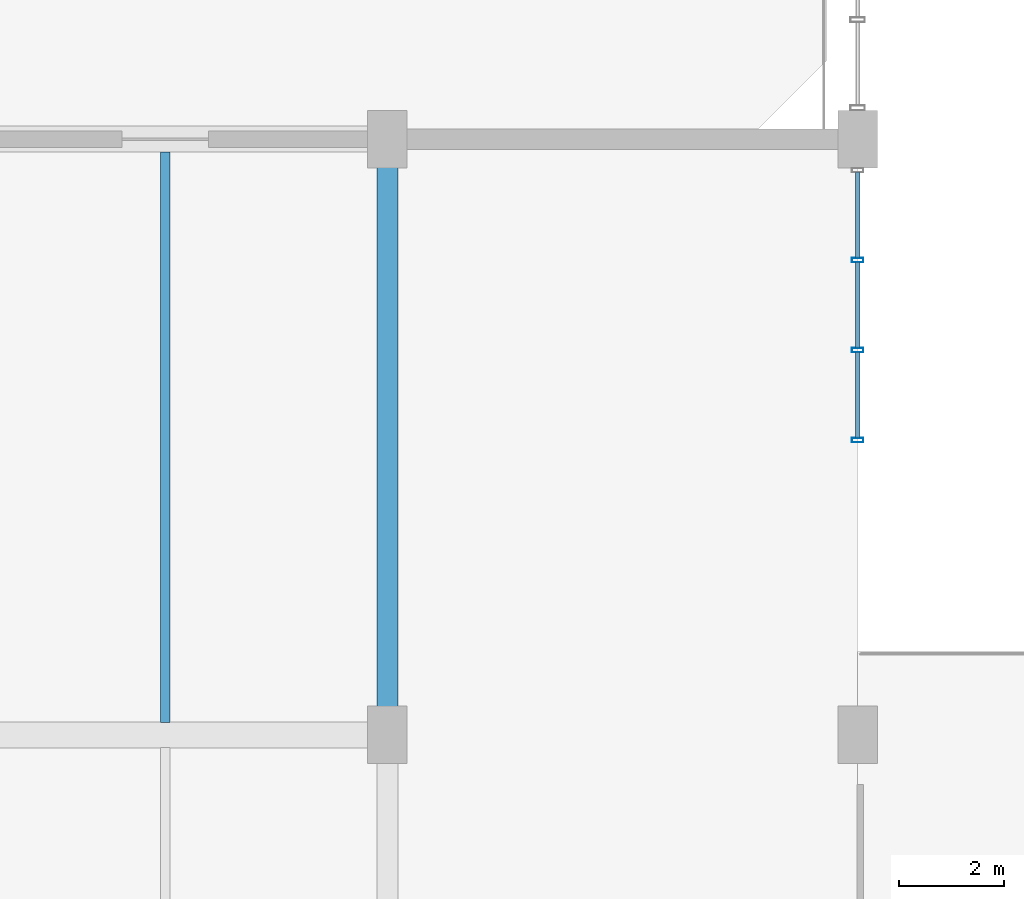
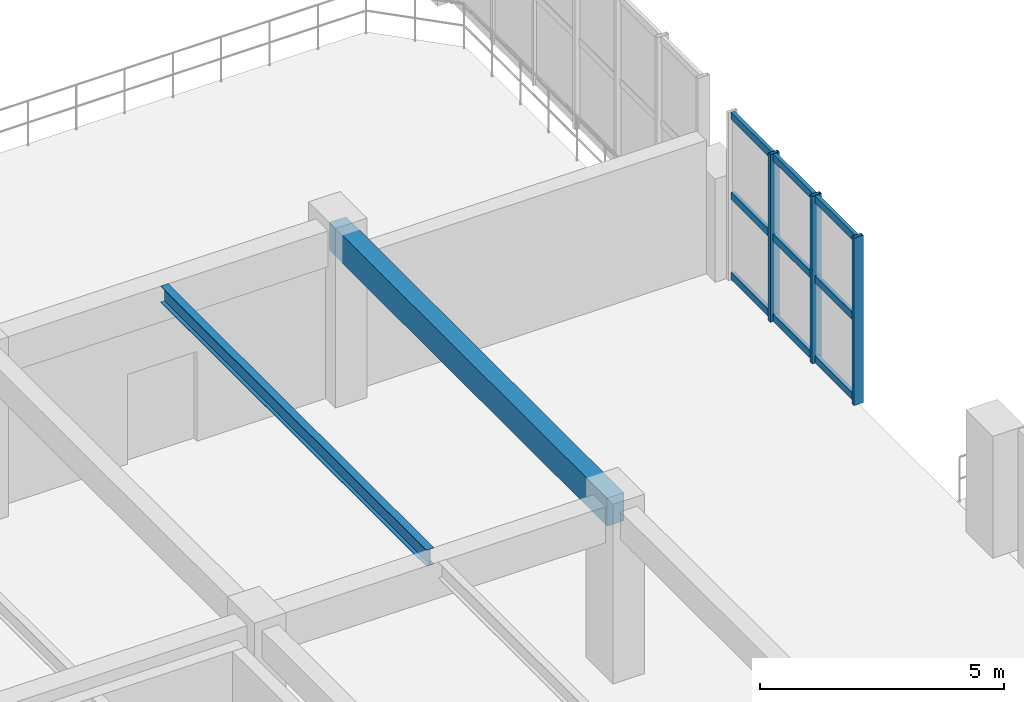
# One storey, part 32 of 80: 12 members, 2 beams, 1 element without a shape of its own.
"""IFC4 building model written with IfcOpenShell, lengths in metres."""

import ifcopenshell
import ifcopenshell.guid

model = None  # the IFC model being written
_history = None  # IfcOwnerHistory: only IFC2X3 demands one
_inside = {}  # id of a spatial element -> (the spatial element, [elements in it])
_under = {}  # id of a project, library or spatial element -> (it, [spatial elements below it])
_declared = {}  # id of a project -> (the project, [libraries it declares])
_typed = {}  # id of a type object -> (the type object, [elements of that type])
_made_of = {}  # id of a material, layer set ... -> (it, [elements and type objects made of it])


def new_model(schema):
    """Start an empty IFC model of exactly this schema.

    Asked for "IFC4X3", IfcOpenShell would pick the latest addendum, in which some entities
    have other attributes; the version numbers below select the first issue.
    IFC2X3 requires an IfcOwnerHistory on every rooted entity: one is made here for all.
    """
    global model, _history
    if schema == "IFC4X3":
        model = ifcopenshell.file(schema_version=(4, 3, 0, 0))
    else:
        model = ifcopenshell.file(schema=schema)
    _inside.clear()
    _under.clear()
    _declared.clear()
    _typed.clear()
    _made_of.clear()
    _history = None
    if model.schema == "IFC2X3":
        org = make("IfcOrganization", Name="unknown")
        user = make(
            "IfcPersonAndOrganization",
            ThePerson=make("IfcPerson", FamilyName="unknown"),
            TheOrganization=org,
        )
        app = make(
            "IfcApplication",
            ApplicationDeveloper=org,
            Version="unknown",
            ApplicationFullName="unknown",
            ApplicationIdentifier="unknown",
        )
        _history = make(
            "IfcOwnerHistory",
            OwningUser=user,
            OwningApplication=app,
            ChangeAction="ADDED",
            CreationDate=0,
        )
    return model


def make(cls, **values):
    """One entity of the class cls with the attributes given. An attribute that is None is left unset."""
    return model.create_entity(
        cls, **{name: value for name, value in values.items() if value is not None}
    )


def rooted(cls, **values):
    """An entity with a GlobalId (a new one), such as an element, a storey or a relation."""
    return make(cls, GlobalId=ifcopenshell.guid.new(), OwnerHistory=_history, **values)


def si_unit(unit_type, name, prefix=None):
    """IfcSIUnit, for example si_unit("LENGTHUNIT", "METRE", prefix="MILLI")."""
    return make("IfcSIUnit", UnitType=unit_type, Prefix=prefix, Name=name)


def assignment(units):
    """IfcUnitAssignment: the units of a project."""
    return None if units is None else make("IfcUnitAssignment", Units=units)


def point(xyz):
    """IfcCartesianPoint."""
    return None if xyz is None else make("IfcCartesianPoint", Coordinates=xyz)


def direction(xyz):
    """IfcDirection."""
    return None if xyz is None else make("IfcDirection", DirectionRatios=xyz)


def frame(location, z_axis=None, x_axis=None):
    """IfcAxis2Placement3D, a coordinate frame: its origin and axes. An axis left out is left unset."""
    return make(
        "IfcAxis2Placement3D",
        Location=point(location),
        Axis=direction(z_axis),
        RefDirection=direction(x_axis),
    )


def frame_2d(location, x_axis=None):
    """IfcAxis2Placement2D, a coordinate frame in the plane: its origin and x axis."""
    return make(
        "IfcAxis2Placement2D", Location=point(location), RefDirection=direction(x_axis)
    )


def origin():
    """The frame at (0, 0, 0) with its axes left unset."""
    return frame((0.0, 0.0, 0.0))


def origin_2d():
    """The frame at (0, 0) in the plane with its x axis left unset."""
    return frame_2d((0.0, 0.0))


def place(relative_to, where):
    """IfcLocalPlacement: puts the frame where relative to a parent placement (None: the world)."""
    return make(
        "IfcLocalPlacement", PlacementRelTo=relative_to, RelativePlacement=where
    )


def context(
    kind, dimensions, precision=None, world=None, true_north=None, identifier=None
):
    """IfcGeometricRepresentationContext, for example the 3D "Model" context."""
    return make(
        "IfcGeometricRepresentationContext",
        ContextIdentifier=identifier,
        ContextType=kind,
        CoordinateSpaceDimension=dimensions,
        Precision=precision,
        WorldCoordinateSystem=world,
        TrueNorth=true_north,
    )


def subcontext(parent, identifier, kind, view, scale=None):
    """IfcGeometricRepresentationSubContext, for example "Body" below "Model"."""
    return make(
        "IfcGeometricRepresentationSubContext",
        ContextIdentifier=identifier,
        ContextType=kind,
        ParentContext=parent,
        TargetScale=scale,
        TargetView=view,
    )


def project(units=None, contexts=None):
    """IfcProject with its units and contexts."""
    return rooted(
        "IfcProject",
        Name="project",
        RepresentationContexts=contexts,
        UnitsInContext=assignment(units),
    )


def spatial(cls, under=None, at=None, **own):
    """A site, building, storey or space (cls), placed at a placement, below another one or the project."""
    s = rooted(cls, ObjectPlacement=at, **own)
    if under is not None:
        _under.setdefault(under.id(), (under, []))[1].append(s)
    return s


def profile(cls, at=None, kind="AREA", **sizes):
    """A parametric profile (cls). Its sizes go by their IFC names, for example OverallWidth=200.0."""
    return make(cls, ProfileType=kind, Position=at, **sizes)


def rectangle(**sizes):
    """IfcRectangleProfileDef."""
    return profile("IfcRectangleProfileDef", **sizes)


def hollow_rectangle(**sizes):
    """IfcRectangleHollowProfileDef."""
    return profile("IfcRectangleHollowProfileDef", **sizes)


def i_section(**sizes):
    """IfcIShapeProfileDef."""
    return profile("IfcIShapeProfileDef", **sizes)


def extrude(swept, where, along, depth):
    """IfcExtrudedAreaSolid: the profile swept, set in the frame where, extruded along a direction by depth."""
    return make(
        "IfcExtrudedAreaSolid",
        SweptArea=swept,
        Position=where,
        ExtrudedDirection=direction(along),
        Depth=depth,
    )


def shape(context_of_items, identifier, shape_type, items):
    """IfcShapeRepresentation: the items that make up one representation, for example the "Body"."""
    return make(
        "IfcShapeRepresentation",
        ContextOfItems=context_of_items,
        RepresentationIdentifier=identifier,
        RepresentationType=shape_type,
        Items=items,
    )


def material(Name=None, Category=None):
    """IfcMaterial."""
    return make("IfcMaterial", Name=Name, Category=Category)


def layer(
    of_material, thickness, ventilated=None, Name=None, Category=None, Priority=None
):
    """IfcMaterialLayer: one layer of a wall or slab, of a material (None: an air gap)."""
    return make(
        "IfcMaterialLayer",
        Material=of_material,
        LayerThickness=thickness,
        IsVentilated=ventilated,
        Name=Name,
        Category=Category,
        Priority=Priority,
    )


def layer_set(layers, Name=None):
    """IfcMaterialLayerSet."""
    return make("IfcMaterialLayerSet", MaterialLayers=layers, LayerSetName=Name)


def material_profile(
    of_material, cross_section, Name=None, Category=None, Priority=None
):
    """IfcMaterialProfile: a cross section and its material."""
    return make(
        "IfcMaterialProfile",
        Name=Name,
        Material=of_material,
        Profile=cross_section,
        Priority=Priority,
        Category=Category,
    )


def profile_set(profiles, Name=None, composite=None):
    """IfcMaterialProfileSet."""
    return make(
        "IfcMaterialProfileSet",
        Name=Name,
        MaterialProfiles=profiles,
        CompositeProfile=composite,
    )


def made_of(thing, what):
    """Note that an element or type object is made of a material, layer set ...; save() writes the relation."""
    if what is not None:
        _made_of.setdefault(what.id(), (what, []))[1].append(thing)
    return thing


def type_object(cls, material=None, **own):
    """A type object (cls), such as IfcWallType, which elements share."""
    return made_of(rooted(cls, **own), material)


def element(
    cls,
    number,
    at=None,
    inside=None,
    cuts=None,
    type_object=None,
    material=None,
    context=None,
    identifier="Body",
    shape_type=None,
    held_by="IfcProductDefinitionShape",
    body=None,
    shapes=None,
    **own,
):
    """One element of the class cls, such as IfcWall. Its Tag is "e" and its number.

    at: its placement. inside: the storey or other place that contains it. cuts: it is an
    opening in that element (IfcRelVoidsElement). A single representation is given by context,
    identifier, shape_type and body (its items); several are given by shapes. held_by: the class
    of the entity that holds the representations. save() writes the other relations.
    """
    e = rooted(cls, Tag="e%d" % number, ObjectPlacement=at, **own)
    if body is not None:
        shapes = [shape(context, identifier, shape_type, body)]
    if shapes is not None:
        e.Representation = make(held_by, Representations=shapes)
    if inside is not None:
        _inside.setdefault(inside.id(), (inside, []))[1].append(e)
    if cuts is not None:
        rooted(
            "IfcRelVoidsElement", RelatingBuildingElement=cuts, RelatedOpeningElement=e
        )
    if type_object is not None:
        _typed.setdefault(type_object.id(), (type_object, []))[1].append(e)
    return made_of(e, material)


def aggregate(whole, parts):
    """IfcRelAggregates: a whole, such as a stair, and the parts it consists of."""
    return rooted("IfcRelAggregates", RelatingObject=whole, RelatedObjects=parts)


def save(model, path):
    """Write the relations noted so far, then the file.

    IfcRelAggregates (storeys below a building ...), IfcRelContainedInSpatialStructure (elements
    in a storey), IfcRelDefinesByType, IfcRelAssociatesMaterial and IfcRelDeclares: one each for
    every whole, place, type object, material and project.
    """
    for whole, parts in _under.values():
        aggregate(whole, parts)
    for where, things in _inside.values():
        rooted(
            "IfcRelContainedInSpatialStructure",
            RelatedElements=things,
            RelatingStructure=where,
        )
    for kind, things in _typed.values():
        rooted("IfcRelDefinesByType", RelatedObjects=things, RelatingType=kind)
    for what, things in _made_of.values():
        rooted("IfcRelAssociatesMaterial", RelatedObjects=things, RelatingMaterial=what)
    for by, libraries in _declared.values():
        rooted("IfcRelDeclares", RelatingContext=by, RelatedDefinitions=libraries)
    model.write(path)


model = new_model("IFC4")

# Units and contexts
model_context = context("Model", 3, precision=1e-05, world=origin(), true_north=direction((0.0, 1.0)))
body_context = subcontext(model_context, "Body", "Model", "MODEL_VIEW")
ifc_project = project(units=[si_unit("LENGTHUNIT", "METRE"), si_unit("AREAUNIT", "SQUARE_METRE"), si_unit("VOLUMEUNIT", "CUBIC_METRE"), si_unit("PLANEANGLEUNIT", "RADIAN"), si_unit("MASSUNIT", "GRAM", prefix="KILO"), si_unit("POWERUNIT", "WATT"), si_unit("THERMODYNAMICTEMPERATUREUNIT", "KELVIN")], contexts=[model_context])

# Site, building, storey
site_placement = place(None, origin())
site = spatial("IfcSite", under=ifc_project, at=site_placement, CompositionType="ELEMENT")
building_placement = place(site_placement, origin())
building = spatial("IfcBuilding", under=site, at=building_placement, Name="Kelmbourne Parkland Aquatics Centre", CompositionType="ELEMENT")
storey_placement = place(building_placement, frame((0.0, 0.0, 10.199951171875)))
storey = spatial("IfcBuildingStorey", under=building, at=storey_placement, Name="L02", CompositionType="ELEMENT", Elevation=10.199951171875)

# Beams
ifc_material_1 = material(Name="Concrete C40/50", Category="concrete")
ifc_material_profile_1 = material_profile(ifc_material_1, rectangle(XDim=0.39990234375, YDim=0.699951171875, at=origin_2d()), Name="RC 400x700")
ifc_profile_set_1 = profile_set([ifc_material_profile_1], Name="Concrete C40/50")
beam_type_1 = type_object("IfcBeamType", Name="BM-G05", PredefinedType="BEAM", material=ifc_profile_set_1)
beam_1_placement = place(storey_placement, frame((119.0, 46.39990234375, 3.91015625), z_axis=(0.0, 1.0, 0.0), x_axis=(-1.0, 0.0, 0.0)))
element("IfcBeam", 1, at=beam_1_placement, inside=storey, type_object=beam_type_1, Name="Primary girder 06-08 Grid O (L03)", PredefinedType="BEAM", context=body_context, shape_type="SweptSolid", body=[
    extrude(rectangle(XDim=0.39990234375, YDim=0.699951171875, at=origin_2d()), origin(), (0.0, 0.0, 1.0), 11.400146484375),
])
ifc_material_2 = material(Name="Structural steel AS/NZS 3679.1 Grade 300", Category="steel")
ifc_material_profile_2 = material_profile(ifc_material_2, i_section(OverallWidth=0.177978515625, OverallDepth=0.406005859375, WebThickness=0.0078125, FlangeThickness=0.0126953125, at=origin_2d()), Name="410UB59.7")
ifc_profile_set_2 = profile_set([ifc_material_profile_2], Name="Structural steel AS/NZS 3679.1 Grade 300")
beam_type_2 = type_object("IfcBeamType", Name="BM-J01", PredefinedType="JOIST", material=ifc_profile_set_2)
beam_2_placement = place(storey_placement, frame((114.75, 46.64208984375, 4.05712890625), z_axis=(0.0, 1.0, 0.0), x_axis=(-1.0, 0.0, 0.0)))
element("IfcBeam", 2, at=beam_2_placement, inside=storey, type_object=beam_type_2, Name="Secondary floor joist N-O/06-08 #1 (L03)", PredefinedType="JOIST", context=body_context, shape_type="SweptSolid", body=[
    extrude(i_section(OverallWidth=0.177978515625, OverallDepth=0.406005859375, WebThickness=0.0078125, FlangeThickness=0.0126953125, at=origin_2d()), origin(), (0.0, 0.0, 1.0), 10.916015625),
])

# Curtain wall, members
ifc_material_3 = material(Name="Thermally broken anodised aluminium framing", Category="aluminium")
ifc_layer = layer(ifc_material_3, 0.179931640625)
ifc_layer_set = layer_set([ifc_layer], Name="Thermally broken anodised aluminium framing")
curtain_wall_type = type_object("IfcCurtainWallType", Name="CW-20", PredefinedType="NOTDEFINED", material=ifc_layer_set)
curtain_wall_placement = place(storey_placement, origin())
curtain_wall = element("IfcCurtainWall", 3, at=curtain_wall_placement, inside=storey, type_object=curtain_wall_type, Name="Facade curtain wall CW-L02-212", PredefinedType="NOTDEFINED")
ifc_material_profile_3 = material_profile(ifc_material_3, hollow_rectangle(XDim=0.0849609375, YDim=0.219970703125, WallThickness=0.0048828125, at=origin_2d()), Name="CW-M 85x220")
ifc_profile_set_3 = profile_set([ifc_material_profile_3], Name="Thermally broken anodised aluminium framing")
member_type_1 = type_object("IfcMemberType", Name="MB-MUL-3", PredefinedType="MULLION", material=ifc_profile_set_3)
member_1_placement = place(storey_placement, frame((128.0, 52.04248046875, 0.0), z_axis=(0.0, 0.0, 1.0), x_axis=(0.0, 1.0, 0.0)))
member_1 = element("IfcMember", 4, at=member_1_placement, type_object=member_type_1, Name="CW-L02-212 mullion 0", PredefinedType="MULLION", context=body_context, shape_type="SweptSolid", body=[
    extrude(hollow_rectangle(XDim=0.0849609375, YDim=0.219970703125, WallThickness=0.0048828125, at=origin_2d()), origin(), (0.0, 0.0, 1.0), 4.199951171875),
])
member_2_placement = place(storey_placement, frame((128.0, 53.763427734375, 0.0), z_axis=(0.0, 0.0, 1.0), x_axis=(0.0, 1.0, 0.0)))
member_2 = element("IfcMember", 5, at=member_2_placement, type_object=member_type_1, Name="CW-L02-212 mullion 1", PredefinedType="MULLION", context=body_context, shape_type="SweptSolid", body=[
    extrude(hollow_rectangle(XDim=0.0849609375, YDim=0.219970703125, WallThickness=0.0048828125, at=origin_2d()), origin(), (0.0, 0.0, 1.0), 4.199951171875),
])
member_3_placement = place(storey_placement, frame((128.0, 55.484619140625, 0.0), z_axis=(0.0, 0.0, 1.0), x_axis=(0.0, 1.0, 0.0)))
member_3 = element("IfcMember", 6, at=member_3_placement, type_object=member_type_1, Name="CW-L02-212 mullion 2", PredefinedType="MULLION", context=body_context, shape_type="SweptSolid", body=[
    extrude(hollow_rectangle(XDim=0.0849609375, YDim=0.219970703125, WallThickness=0.0048828125, at=origin_2d()), origin(), (0.0, 0.0, 1.0), 4.199951171875),
])
ifc_material_profile_4 = material_profile(ifc_material_3, hollow_rectangle(XDim=0.0849609375, YDim=0.179931640625, WallThickness=0.00439453125, at=origin_2d()), Name="CW-T 85x180")
ifc_profile_set_4 = profile_set([ifc_material_profile_4], Name="Thermally broken anodised aluminium framing")
member_type_2 = type_object("IfcMemberType", Name="MB-TRN-3", PredefinedType="USERDEFINED", material=ifc_profile_set_4)
member_4_placement = place(storey_placement, frame((128.0, 52.0810546875, 0.093017578125), z_axis=(0.0, 1.0, 0.0), x_axis=(-1.0, 0.0, 0.0)))
member_4 = element("IfcMember", 7, at=member_4_placement, type_object=member_type_2, Name="CW-L02-212 transom 0-0", ObjectType="TRANSOM", PredefinedType="USERDEFINED", context=body_context, shape_type="SweptSolid", body=[
    extrude(hollow_rectangle(XDim=0.0849609375, YDim=0.179931640625, WallThickness=0.00439453125, at=origin_2d()), origin(), (0.0, 0.0, 1.0), 1.64404296875),
])
member_5_placement = place(storey_placement, frame((128.0, 53.802001953125, 0.093017578125), z_axis=(0.0, 1.0, 0.0), x_axis=(-1.0, 0.0, 0.0)))
member_5 = element("IfcMember", 8, at=member_5_placement, type_object=member_type_2, Name="CW-L02-212 transom 0-1", ObjectType="TRANSOM", PredefinedType="USERDEFINED", context=body_context, shape_type="SweptSolid", body=[
    extrude(hollow_rectangle(XDim=0.0849609375, YDim=0.179931640625, WallThickness=0.00439453125, at=origin_2d()), origin(), (0.0, 0.0, 1.0), 1.64404296875),
])
member_6_placement = place(storey_placement, frame((128.0, 55.52294921875, 0.093017578125), z_axis=(0.0, 1.0, 0.0), x_axis=(-1.0, 0.0, 0.0)))
member_6 = element("IfcMember", 9, at=member_6_placement, type_object=member_type_2, Name="CW-L02-212 transom 0-2", ObjectType="TRANSOM", PredefinedType="USERDEFINED", context=body_context, shape_type="SweptSolid", body=[
    extrude(hollow_rectangle(XDim=0.0849609375, YDim=0.179931640625, WallThickness=0.00439453125, at=origin_2d()), origin(), (0.0, 0.0, 1.0), 1.64404296875),
])
member_7_placement = place(storey_placement, frame((128.0, 52.0810546875, 2.10009765625), z_axis=(0.0, 1.0, 0.0), x_axis=(-1.0, 0.0, 0.0)))
member_7 = element("IfcMember", 10, at=member_7_placement, type_object=member_type_2, Name="CW-L02-212 transom 1-0", ObjectType="TRANSOM", PredefinedType="USERDEFINED", context=body_context, shape_type="SweptSolid", body=[
    extrude(hollow_rectangle(XDim=0.0849609375, YDim=0.179931640625, WallThickness=0.00439453125, at=origin_2d()), origin(), (0.0, 0.0, 1.0), 1.64404296875),
])
member_8_placement = place(storey_placement, frame((128.0, 53.802001953125, 2.10009765625), z_axis=(0.0, 1.0, 0.0), x_axis=(-1.0, 0.0, 0.0)))
member_8 = element("IfcMember", 11, at=member_8_placement, type_object=member_type_2, Name="CW-L02-212 transom 1-1", ObjectType="TRANSOM", PredefinedType="USERDEFINED", context=body_context, shape_type="SweptSolid", body=[
    extrude(hollow_rectangle(XDim=0.0849609375, YDim=0.179931640625, WallThickness=0.00439453125, at=origin_2d()), origin(), (0.0, 0.0, 1.0), 1.64404296875),
])
member_9_placement = place(storey_placement, frame((128.0, 55.52294921875, 2.10009765625), z_axis=(0.0, 1.0, 0.0), x_axis=(-1.0, 0.0, 0.0)))
member_9 = element("IfcMember", 12, at=member_9_placement, type_object=member_type_2, Name="CW-L02-212 transom 1-2", ObjectType="TRANSOM", PredefinedType="USERDEFINED", context=body_context, shape_type="SweptSolid", body=[
    extrude(hollow_rectangle(XDim=0.0849609375, YDim=0.179931640625, WallThickness=0.00439453125, at=origin_2d()), origin(), (0.0, 0.0, 1.0), 1.64404296875),
])
member_10_placement = place(storey_placement, frame((128.0, 52.0810546875, 4.10693359375), z_axis=(0.0, 1.0, 0.0), x_axis=(-1.0, 0.0, 0.0)))
member_10 = element("IfcMember", 13, at=member_10_placement, type_object=member_type_2, Name="CW-L02-212 transom 2-0", ObjectType="TRANSOM", PredefinedType="USERDEFINED", context=body_context, shape_type="SweptSolid", body=[
    extrude(hollow_rectangle(XDim=0.0849609375, YDim=0.179931640625, WallThickness=0.00439453125, at=origin_2d()), origin(), (0.0, 0.0, 1.0), 1.64404296875),
])
member_11_placement = place(storey_placement, frame((128.0, 53.802001953125, 4.10693359375), z_axis=(0.0, 1.0, 0.0), x_axis=(-1.0, 0.0, 0.0)))
member_11 = element("IfcMember", 14, at=member_11_placement, type_object=member_type_2, Name="CW-L02-212 transom 2-1", ObjectType="TRANSOM", PredefinedType="USERDEFINED", context=body_context, shape_type="SweptSolid", body=[
    extrude(hollow_rectangle(XDim=0.0849609375, YDim=0.179931640625, WallThickness=0.00439453125, at=origin_2d()), origin(), (0.0, 0.0, 1.0), 1.64404296875),
])
member_12_placement = place(storey_placement, frame((128.0, 55.52294921875, 4.10693359375), z_axis=(0.0, 1.0, 0.0), x_axis=(-1.0, 0.0, 0.0)))
member_12 = element("IfcMember", 15, at=member_12_placement, type_object=member_type_2, Name="CW-L02-212 transom 2-2", ObjectType="TRANSOM", PredefinedType="USERDEFINED", context=body_context, shape_type="SweptSolid", body=[
    extrude(hollow_rectangle(XDim=0.0849609375, YDim=0.179931640625, WallThickness=0.00439453125, at=origin_2d()), origin(), (0.0, 0.0, 1.0), 1.64404296875),
])
aggregate(curtain_wall, [member_1, member_2, member_3, member_4, member_5, member_6, member_7, member_8, member_9, member_10, member_11, member_12])

save(model, "model.ifc")
